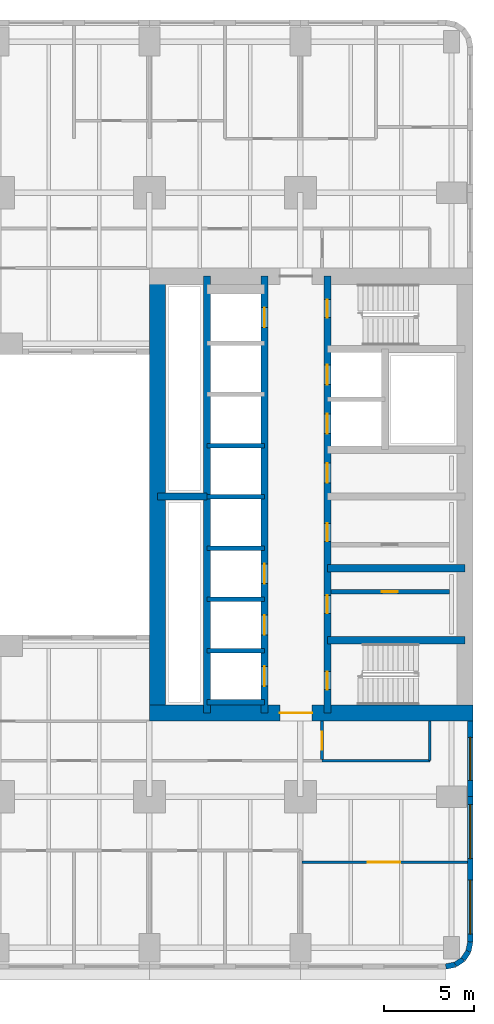
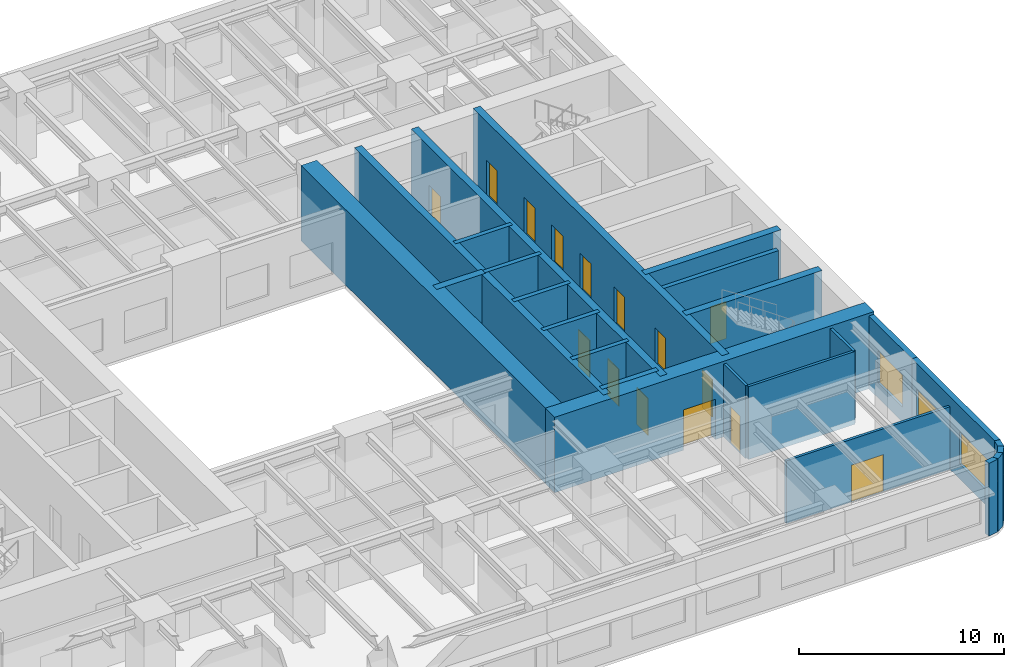
# One storey, part 5 of 14: 25 walls, 15 doors, 3 windows, 18 openings.
"""IFC4 building model written with IfcOpenShell, lengths in metres."""

from ifc_helpers import new_model, si_unit, direction, frame, frame_2d, origin, place, context, subcontext, project, spatial, rectangle, extrude, material, layer, layer_set, type_object, element, fill, save


model = new_model("IFC4")

# Units and contexts
model_context = context("Model", 3, precision=1e-05, world=origin(), true_north=direction((0.0, 1.0)))
body_context = subcontext(model_context, "Body", "Model", "MODEL_VIEW")
ifc_project = project(units=[si_unit("LENGTHUNIT", "METRE"), si_unit("AREAUNIT", "SQUARE_METRE"), si_unit("VOLUMEUNIT", "CUBIC_METRE"), si_unit("PLANEANGLEUNIT", "RADIAN"), si_unit("MASSUNIT", "GRAM", prefix="KILO")], contexts=[model_context])

# Site, building, storey
site_placement = place(None, origin())
site = spatial("IfcSite", under=ifc_project, at=site_placement, CompositionType="ELEMENT")
building_placement = place(site_placement, origin())
building = spatial("IfcBuilding", under=site, at=building_placement, Name="Claustro Exchange Tower", CompositionType="ELEMENT")
storey_placement = place(building_placement, frame((0.0, 0.0, 36.89990234375)))
storey = spatial("IfcBuildingStorey", under=building, at=storey_placement, Name="L08", CompositionType="ELEMENT", Elevation=36.89990234375)

# Wall, opening, door
ifc_material_1 = material(Name="Gypsum board on steel studs", Category="steel")
ifc_layer_1 = layer(ifc_material_1, 0.14990234375)
ifc_layer_set_1 = layer_set([ifc_layer_1], Name="Gypsum board on steel studs")
wall_type_1 = type_object("IfcWallType", Name="P1 150 plasterboard partition", PredefinedType="PARTITIONING", material=ifc_layer_set_1)
wall_1_placement = place(storey_placement, frame((42.073974609375, 4.75, 0.0), z_axis=(0.0, 0.0, 1.0), x_axis=(1.0, 0.0, 0.0)))
wall_1 = element("IfcWall", 1, at=wall_1_placement, inside=storey, type_object=wall_type_1, Name="Partition P1 L08", PredefinedType="PARTITIONING", context=body_context, shape_type="SweptSolid", body=[
    extrude(rectangle(XDim=9.22802734375, YDim=0.14990234375, at=frame_2d((4.614013671875, 0.0))), origin(), (0.0, 0.0, 1.0), 3.739990234375),
])
opening_1_placement = place(wall_1_placement, frame((3.676025390625, 0.0, 0.0)))
opening_1 = element("IfcOpeningElement", 2, at=opening_1_placement, cuts=wall_1, Name="Opening D2", PredefinedType="OPENING", context=body_context, shape_type="SweptSolid", body=[
    extrude(rectangle(XDim=1.800048828125, YDim=2.199951171875, at=frame_2d((0.89990234375, 1.10009765625))), frame((0.0, 0.0849609375, 0.0), z_axis=(0.0, -1.0, 0.0), x_axis=(1.0, 0.0, 0.0)), (0.0, 0.0, 1.0), 0.169921875),
])
ifc_material_2 = material(Name="Timber door, oak veneer", Category="wood")
door_type_1 = type_object("IfcDoorType", Name="D2 1800 x 2200 double door", OperationType="DOUBLE_DOOR_SINGLE_SWING", PredefinedType="DOOR", material=ifc_material_2)
door_1_placement = place(opening_1_placement, frame((1.800048828125, 0.0, 0.0), z_axis=(0.0, 0.0, 1.0), x_axis=(-1.0, 0.0, 0.0)))
door_1 = element("IfcDoor", 3, at=door_1_placement, inside=storey, type_object=door_type_1, Name="Double door D2 L08", OperationType="DOUBLE_DOOR_SINGLE_SWING", OverallHeight=2.199951171875, OverallWidth=1.800048828125, PredefinedType="DOOR", context=body_context, shape_type="SweptSolid", body=[
    extrude(rectangle(XDim=1.800048828125, YDim=2.199951171875, at=frame_2d((0.89990234375, 1.10009765625))), frame((0.0, 0.02490234375, 0.0), z_axis=(0.0, -1.0, 0.0), x_axis=(1.0, 0.0, 0.0)), (0.0, 0.0, 1.0), 0.050048828125),
])
fill(opening_1, door_1)

wall_2_placement = place(storey_placement, frame((43.199951171875, 10.47412109375, 0.0), z_axis=(0.0, 0.0, 1.0), x_axis=(0.0, 1.0, 0.0)))
wall_2 = element("IfcWall", 4, at=wall_2_placement, inside=storey, type_object=wall_type_1, Name="Partition P1 L08", PredefinedType="PARTITIONING", context=body_context, shape_type="SweptSolid", body=[
    extrude(rectangle(XDim=2.1279296875, YDim=0.14990234375, at=frame_2d((1.06396484375, 0.0))), origin(), (0.0, 0.0, 1.0), 4.340087890625),
])
opening_2_placement = place(wall_2_placement, frame((0.52587890625, 0.0, 0.0)))
opening_2 = element("IfcOpeningElement", 5, at=opening_2_placement, cuts=wall_2, Name="Opening D1", PredefinedType="OPENING", context=body_context, shape_type="SweptSolid", body=[
    extrude(rectangle(XDim=1.0, YDim=2.199951171875, at=frame_2d((0.5, 1.10009765625))), frame((0.0, 0.0849609375, 0.0), z_axis=(0.0, -1.0, 0.0), x_axis=(1.0, 0.0, 0.0)), (0.0, 0.0, 1.0), 0.169921875),
])
ifc_material_3 = material(Name="Timber door, oak veneer", Category="wood")
door_type_2 = type_object("IfcDoorType", Name="D1 1000 x 2200 single door", OperationType="SINGLE_SWING_LEFT", PredefinedType="DOOR", material=ifc_material_3)
door_2_placement = place(opening_2_placement, frame((1.0, 0.0, 0.0), z_axis=(0.0, 0.0, 1.0), x_axis=(-1.0, 0.0, 0.0)))
door_2 = element("IfcDoor", 6, at=door_2_placement, inside=storey, type_object=door_type_2, Name="Door D1 L08", OperationType="SINGLE_SWING_LEFT", OverallHeight=2.199951171875, OverallWidth=1.0, PredefinedType="DOOR", context=body_context, shape_type="SweptSolid", body=[
    extrude(rectangle(XDim=1.0, YDim=2.199951171875, at=frame_2d((0.5, 1.10009765625))), frame((0.0, 0.02490234375, 0.0), z_axis=(0.0, -1.0, 0.0), x_axis=(1.0, 0.0, 0.0)), (0.0, 0.0, 1.0), 0.050048828125),
])
fill(opening_2, door_2)

# Walls
wall_3_placement = place(storey_placement, frame((43.197998046875, 10.39990234375, 0.0), z_axis=(0.0, 0.0, 1.0), x_axis=(1.0, 0.0, 0.0)))
element("IfcWall", 7, at=wall_3_placement, inside=storey, type_object=wall_type_1, Name="Partition P1 L08", PredefinedType="PARTITIONING", context=body_context, shape_type="SweptSolid", body=[
    extrude(rectangle(XDim=6.001953125, YDim=0.14990234375, at=frame_2d((3.0009765625, 0.0))), origin(), (0.0, 0.0, 1.0), 4.340087890625),
])
wall_4_placement = place(storey_placement, frame((49.199951171875, 10.39990234375, 0.0), z_axis=(0.0, 0.0, 1.0), x_axis=(0.0, 1.0, 0.0)))
element("IfcWall", 8, at=wall_4_placement, inside=storey, type_object=wall_type_1, Name="Partition P1 L08", PredefinedType="PARTITIONING", context=body_context, shape_type="SweptSolid", body=[
    extrude(rectangle(XDim=2.2021484375, YDim=0.14990234375, at=frame_2d((1.10107421875, 0.0))), origin(), (0.0, 0.0, 1.0), 4.340087890625),
])

# Wall, opening, door
ifc_material_4 = material(Name="Concrete blockwork, rendered", Category="masonry")
ifc_layer_2 = layer(ifc_material_4, 0.25)
ifc_layer_set_2 = layer_set([ifc_layer_2], Name="Concrete blockwork, rendered")
wall_type_2 = type_object("IfcWallType", Name="P4 250 blockwork wall", PredefinedType="PARTITIONING", material=ifc_layer_set_2)
wall_5_placement = place(storey_placement, frame((43.699951171875, 19.800048828125, 0.0), z_axis=(0.0, 0.0, 1.0), x_axis=(1.0, 0.0, 0.0)))
wall_5 = element("IfcWall", 9, at=wall_5_placement, inside=storey, type_object=wall_type_2, Name="Partition P4 L08", PredefinedType="PARTITIONING", context=body_context, shape_type="SweptSolid", body=[
    extrude(rectangle(XDim=6.60009765625, YDim=0.25, at=frame_2d((3.300048828125, 0.0))), origin(), (0.0, 0.0, 1.0), 4.300048828125),
])
opening_3_placement = place(wall_5_placement, frame((2.824951171875, 0.0, 0.0)))
opening_3 = element("IfcOpeningElement", 10, at=opening_3_placement, cuts=wall_5, Name="Opening D5", PredefinedType="OPENING", context=body_context, shape_type="SweptSolid", body=[
    extrude(rectangle(XDim=0.89990234375, YDim=2.199951171875, at=frame_2d((0.449951171875, 1.10009765625))), frame((0.0, 0.135009765625, 0.0), z_axis=(0.0, -1.0, 0.0), x_axis=(1.0, 0.0, 0.0)), (0.0, 0.0, 1.0), 0.27001953125),
])
ifc_material_5 = material(Name="Steel door, painted", Category="steel")
door_type_3 = type_object("IfcDoorType", Name="D5 900 x 2200 store door", OperationType="SINGLE_SWING_LEFT", PredefinedType="DOOR", material=ifc_material_5)
door_3_placement = place(opening_3_placement, origin())
door_3 = element("IfcDoor", 11, at=door_3_placement, inside=storey, type_object=door_type_3, Name="Store door D5 L08", OperationType="SINGLE_SWING_RIGHT", OverallHeight=2.199951171875, OverallWidth=0.89990234375, PredefinedType="DOOR", context=body_context, shape_type="SweptSolid", body=[
    extrude(rectangle(XDim=0.89990234375, YDim=2.199951171875, at=frame_2d((0.449951171875, 1.10009765625))), frame((0.0, 0.02490234375, 0.0), z_axis=(0.0, -1.0, 0.0), x_axis=(1.0, 0.0, 0.0)), (0.0, 0.0, 1.0), 0.050048828125),
])
fill(opening_3, door_3)

# Wall, opening, window
ifc_material_6 = material(Name="Concrete HA-40 (C40/50), precast, white cement, acid-etched", Category="concrete")
ifc_layer_3 = layer(ifc_material_6, 0.300048828125)
ifc_layer_set_3 = layer_set([ifc_layer_3], Name="Concrete HA-40 (C40/50), precast, white cement, acid-etched")
wall_type_3 = type_object("IfcWallType", Name="PC1 300 precast concrete pier panel", PredefinedType="SOLIDWALL", material=ifc_layer_set_3)
wall_6_placement = place(storey_placement, frame((51.449951171875, 12.60009765625, 0.0), z_axis=(0.0, 0.0, 1.0), x_axis=(0.0, -1.0, 0.0)))
wall_6 = element("IfcWall", 12, at=wall_6_placement, inside=storey, type_object=wall_type_3, Name="Precast pier panel PC1 L08", PredefinedType="SOLIDWALL", context=body_context, shape_type="SweptSolid", body=[
    extrude(rectangle(XDim=4.2001953125, YDim=0.300048828125, at=frame_2d((2.10009765625, 0.0))), origin(), (0.0, 0.0, 1.0), 4.340087890625),
])
opening_4_placement = place(wall_6_placement, frame((0.89990234375, 0.0, 0.89990234375)))
opening_4 = element("IfcOpeningElement", 13, at=opening_4_placement, cuts=wall_6, Name="Opening W2", PredefinedType="OPENING", context=body_context, shape_type="SweptSolid", body=[
    extrude(rectangle(XDim=2.39990234375, YDim=1.89990234375, at=frame_2d((1.199951171875, 0.949951171875))), frame((0.0, 0.159912109375, 0.0), z_axis=(0.0, -1.0, 0.0), x_axis=(1.0, 0.0, 0.0)), (0.0, 0.0, 1.0), 0.320068359375),
])
ifc_material_7 = material(Name="Aluminium frame, clear double glazing", Category="aluminium")
window_type_1 = type_object("IfcWindowType", Name="W2 2400 x 1900 window", PartitioningType="SINGLE_PANEL", PredefinedType="WINDOW", material=ifc_material_7)
window_1_placement = place(opening_4_placement, origin())
window_1 = element("IfcWindow", 14, at=window_1_placement, inside=storey, type_object=window_type_1, Name="Window W2 L08", OverallHeight=1.89990234375, OverallWidth=2.39990234375, PartitioningType="SINGLE_PANEL", PredefinedType="WINDOW", context=body_context, shape_type="SweptSolid", body=[
    extrude(rectangle(XDim=2.39990234375, YDim=1.89990234375, at=frame_2d((1.199951171875, 0.949951171875))), frame((0.0, 0.030029296875, 0.0), z_axis=(0.0, -1.0, 0.0), x_axis=(1.0, 0.0, 0.0)), (0.0, 0.0, 1.0), 0.06005859375),
])
fill(opening_4, window_1)

# Wall, openings, windows
wall_7_placement = place(storey_placement, frame((51.449951171875, 8.39990234375, 0.0), z_axis=(0.0, 0.0, 1.0), x_axis=(0.0, -1.0, 0.0)))
wall_7 = element("IfcWall", 15, at=wall_7_placement, inside=storey, type_object=wall_type_3, Name="Precast pier panel PC1 L08", PredefinedType="SOLIDWALL", context=body_context, shape_type="SweptSolid", body=[
    extrude(rectangle(XDim=8.085205078125, YDim=0.300048828125, at=frame_2d((4.04248046875, 0.0))), origin(), (0.0, 0.0, 1.0), 4.340087890625),
])
opening_5_placement = place(wall_7_placement, frame((0.442626953125, 0.0, 0.89990234375)))
opening_5 = element("IfcOpeningElement", 16, at=opening_5_placement, cuts=wall_7, Name="Opening W1", PredefinedType="OPENING", context=body_context, shape_type="SweptSolid", body=[
    extrude(rectangle(XDim=3.0, YDim=1.89990234375, at=frame_2d((1.5, 0.949951171875))), frame((0.0, 0.159912109375, 0.0), z_axis=(0.0, -1.0, 0.0), x_axis=(1.0, 0.0, 0.0)), (0.0, 0.0, 1.0), 0.320068359375),
])
opening_6_placement = place(wall_7_placement, frame((4.642578125, 0.0, 0.89990234375)))
opening_6 = element("IfcOpeningElement", 17, at=opening_6_placement, cuts=wall_7, Name="Opening W1", PredefinedType="OPENING", context=body_context, shape_type="SweptSolid", body=[
    extrude(rectangle(XDim=3.0, YDim=1.89990234375, at=frame_2d((1.5, 0.949951171875))), frame((0.0, 0.159912109375, 0.0), z_axis=(0.0, -1.0, 0.0), x_axis=(1.0, 0.0, 0.0)), (0.0, 0.0, 1.0), 0.320068359375),
])
ifc_material_8 = material(Name="Aluminium frame, clear double glazing", Category="aluminium")
window_type_2 = type_object("IfcWindowType", Name="W1 3000 x 1900 window", PartitioningType="SINGLE_PANEL", PredefinedType="WINDOW", material=ifc_material_8)
window_2_placement = place(opening_5_placement, origin())
window_2 = element("IfcWindow", 18, at=window_2_placement, inside=storey, type_object=window_type_2, Name="Window W1 L08", OverallHeight=1.89990234375, OverallWidth=3.0, PartitioningType="SINGLE_PANEL", PredefinedType="WINDOW", context=body_context, shape_type="SweptSolid", body=[
    extrude(rectangle(XDim=3.0, YDim=1.89990234375, at=frame_2d((1.5, 0.949951171875))), frame((0.0, 0.030029296875, 0.0), z_axis=(0.0, -1.0, 0.0), x_axis=(1.0, 0.0, 0.0)), (0.0, 0.0, 1.0), 0.06005859375),
])
fill(opening_5, window_2)
window_3_placement = place(opening_6_placement, origin())
window_3 = element("IfcWindow", 19, at=window_3_placement, inside=storey, type_object=window_type_2, Name="Window W1 L08", OverallHeight=1.89990234375, OverallWidth=3.0, PartitioningType="SINGLE_PANEL", PredefinedType="WINDOW", context=body_context, shape_type="SweptSolid", body=[
    extrude(rectangle(XDim=3.0, YDim=1.89990234375, at=frame_2d((1.5, 0.949951171875))), frame((0.0, 0.030029296875, 0.0), z_axis=(0.0, -1.0, 0.0), x_axis=(1.0, 0.0, 0.0)), (0.0, 0.0, 1.0), 0.06005859375),
])
fill(opening_6, window_3)

# Walls
wall_8_placement = place(storey_placement, frame((51.449951171875, 0.314697265625, 0.0), z_axis=(0.0, 0.0, 1.0), x_axis=(-0.195073962632, -0.980788534345, 0.0)))
element("IfcWall", 20, at=wall_8_placement, inside=storey, type_object=wall_type_3, Name="Precast pier panel PC1 L08", PredefinedType="SOLIDWALL", context=body_context, shape_type="SweptSolid", body=[
    extrude(rectangle(XDim=0.540771484375, YDim=0.300048828125, at=frame_2d((0.2705078125, 0.0))), origin(), (0.0, 0.0, 1.0), 4.340087890625),
])
for number, where, z_axis, x_axis, name in (
    (21, (51.344482421875, -0.215576171875, 0.0), (0.0, 0.0, 1.0), (-0.555557463938, -0.831478144188, 0.0), "Precast pier panel PC1 L08"),
    (22, (51.052490234375, -0.652587890625, 0.0), (0.0, 0.0, 1.0), (-0.831478144188, -0.555557463938, 0.0), "Precast pier panel PC1 L08"),
):
    element("IfcWall", number, at=place(storey_placement, frame(where, z_axis=z_axis, x_axis=x_axis)), inside=storey, type_object=wall_type_3, Name=name, PredefinedType="SOLIDWALL", context=body_context, shape_type="SweptSolid", body=[
        extrude(rectangle(XDim=0.525634765625, YDim=0.300048828125, at=frame_2d((0.2626953125, 0.0))), origin(), (0.0, 0.0, 1.0), 4.340087890625),
    ])
wall_9_placement = place(storey_placement, frame((50.615478515625, -0.944580078125, 0.0), z_axis=(0.0, 0.0, 1.0), x_axis=(-0.980788534345, -0.195073962632, 0.0)))
element("IfcWall", 23, at=wall_9_placement, inside=storey, type_object=wall_type_3, Name="Precast pier panel PC1 L08", PredefinedType="SOLIDWALL", context=body_context, shape_type="SweptSolid", body=[
    extrude(rectangle(XDim=0.540771484375, YDim=0.300048828125, at=frame_2d((0.2705078125, 0.0))), origin(), (0.0, 0.0, 1.0), 4.340087890625),
])

# Wall, opening, door
ifc_material_9 = material(Name="Concrete HA-70 (C70/85)", Category="concrete")
ifc_layer_4 = layer(ifc_material_9, 0.89990234375)
ifc_layer_set_4 = layer_set([ifc_layer_4], Name="Concrete HA-70 (C70/85)")
wall_type_4 = type_object("IfcWallType", Name="SW1 900 core shear wall", PredefinedType="SHEAR", material=ifc_layer_set_4)
wall_10_placement = place(storey_placement, frame((33.60009765625, 13.050048828125, 0.0), z_axis=(0.0, 0.0, 1.0), x_axis=(1.0, 0.0, 0.0)))
wall_10 = element("IfcWall", 24, at=wall_10_placement, inside=storey, type_object=wall_type_4, Name="Core wall SW1 E core S face L08", PredefinedType="SHEAR", context=body_context, shape_type="SweptSolid", body=[
    extrude(rectangle(XDim=18.0, YDim=0.89990234375, at=frame_2d((9.0, 0.0))), origin(), (0.0, 0.0, 1.0), 4.5),
])
opening_7_placement = place(wall_10_placement, frame((7.25, 0.0, 0.0)))
opening_7 = element("IfcOpeningElement", 25, at=opening_7_placement, cuts=wall_10, Name="Opening D3", PredefinedType="OPENING", context=body_context, shape_type="SweptSolid", body=[
    extrude(rectangle(XDim=1.800048828125, YDim=2.39990234375, at=frame_2d((0.89990234375, 1.199951171875))), frame((0.0, 0.4599609375, 0.0), z_axis=(0.0, -1.0, 0.0), x_axis=(1.0, 0.0, 0.0)), (0.0, 0.0, 1.0), 0.919921875),
])
ifc_material_10 = material(Name="Steel fire door, painted", Category="steel")
door_type_4 = type_object("IfcDoorType", Name="D3 1800 x 2400 fire-rated lobby double door", OperationType="DOUBLE_DOOR_SINGLE_SWING", PredefinedType="DOOR", material=ifc_material_10)
door_4_placement = place(opening_7_placement, origin())
door_4 = element("IfcDoor", 26, at=door_4_placement, inside=storey, type_object=door_type_4, Name="Lift lobby door D3 L08", OperationType="DOUBLE_DOOR_SINGLE_SWING", OverallHeight=2.39990234375, OverallWidth=1.800048828125, PredefinedType="DOOR", context=body_context, shape_type="SweptSolid", body=[
    extrude(rectangle(XDim=1.800048828125, YDim=2.39990234375, at=frame_2d((0.89990234375, 1.199951171875))), frame((0.0, 0.02490234375, 0.0), z_axis=(0.0, -1.0, 0.0), x_axis=(1.0, 0.0, 0.0)), (0.0, 0.0, 1.0), 0.050048828125),
])
fill(opening_7, door_4)

# Wall
ifc_material_11 = material(Name="Concrete HA-70 (C70/85)", Category="concrete")
ifc_layer_5 = layer(ifc_material_11, 0.89990234375)
ifc_layer_set_5 = layer_set([ifc_layer_5], Name="Concrete HA-70 (C70/85)")
wall_type_5 = type_object("IfcWallType", Name="SW1X 900 exposed core shear wall, board-marked face", PredefinedType="SHEAR", material=ifc_layer_set_5)
wall_11_placement = place(storey_placement, frame((34.050048828125, 13.050048828125, 0.0), z_axis=(0.0, 0.0, 1.0), x_axis=(0.0, 1.0, 0.0)))
element("IfcWall", 27, at=wall_11_placement, inside=storey, type_object=wall_type_5, Name="Core wall SW1X E core W face L08", PredefinedType="SHEAR", context=body_context, shape_type="SweptSolid", body=[
    extrude(rectangle(XDim=24.300048828125, YDim=0.89990234375, at=frame_2d((12.14990234375, 0.0))), origin(), (0.0, 0.0, 1.0), 4.5),
])

# Wall, openings, doors
ifc_material_12 = material(Name="Concrete HA-50 (C50/60)", Category="concrete")
ifc_layer_6 = layer(ifc_material_12, 0.39990234375)
ifc_layer_set_6 = layer_set([ifc_layer_6], Name="Concrete HA-50 (C50/60)")
wall_type_6 = type_object("IfcWallType", Name="SW4 400 internal core wall", PredefinedType="SHEAR", material=ifc_layer_set_6)
wall_12_placement = place(storey_placement, frame((43.5, 13.050048828125, 0.0), z_axis=(0.0, 0.0, 1.0), x_axis=(0.0, 1.0, 0.0)))
wall_12 = element("IfcWall", 28, at=wall_12_placement, inside=storey, type_object=wall_type_6, Name="Internal core wall SW4 E core L08", PredefinedType="SHEAR", context=body_context, shape_type="SweptSolid", body=[
    extrude(rectangle(XDim=24.300048828125, YDim=0.39990234375, at=frame_2d((12.14990234375, 0.0))), origin(), (0.0, 0.0, 1.0), 4.5),
])
opening_8_placement = place(wall_12_placement, frame((1.300048828125, 0.0, 0.0)))
opening_8 = element("IfcOpeningElement", 29, at=opening_8_placement, cuts=wall_12, Name="Opening D4", PredefinedType="OPENING", context=body_context, shape_type="SweptSolid", body=[
    extrude(rectangle(XDim=1.0, YDim=2.199951171875, at=frame_2d((0.5, 1.10009765625))), frame((0.0, 0.2099609375, 0.0), z_axis=(0.0, -1.0, 0.0), x_axis=(1.0, 0.0, 0.0)), (0.0, 0.0, 1.0), 0.419921875),
])
opening_9_placement = place(wall_12_placement, frame((22.0, 0.0, 0.0)))
opening_9 = element("IfcOpeningElement", 30, at=opening_9_placement, cuts=wall_12, Name="Opening D4", PredefinedType="OPENING", context=body_context, shape_type="SweptSolid", body=[
    extrude(rectangle(XDim=1.0, YDim=2.199951171875, at=frame_2d((0.5, 1.10009765625))), frame((0.0, 0.2099609375, 0.0), z_axis=(0.0, -1.0, 0.0), x_axis=(1.0, 0.0, 0.0)), (0.0, 0.0, 1.0), 0.419921875),
])
opening_10_placement = place(wall_12_placement, frame((5.550048828125, 0.0, 0.0)))
opening_10 = element("IfcOpeningElement", 31, at=opening_10_placement, cuts=wall_12, Name="Opening D1", PredefinedType="OPENING", context=body_context, shape_type="SweptSolid", body=[
    extrude(rectangle(XDim=1.0, YDim=2.199951171875, at=frame_2d((0.5, 1.10009765625))), frame((0.0, 0.2099609375, 0.0), z_axis=(0.0, -1.0, 0.0), x_axis=(1.0, 0.0, 0.0)), (0.0, 0.0, 1.0), 0.419921875),
])
opening_11_placement = place(wall_12_placement, frame((9.550048828125, 0.0, 0.0)))
opening_11 = element("IfcOpeningElement", 32, at=opening_11_placement, cuts=wall_12, Name="Opening D1", PredefinedType="OPENING", context=body_context, shape_type="SweptSolid", body=[
    extrude(rectangle(XDim=1.0, YDim=2.199951171875, at=frame_2d((0.5, 1.10009765625))), frame((0.0, 0.2099609375, 0.0), z_axis=(0.0, -1.0, 0.0), x_axis=(1.0, 0.0, 0.0)), (0.0, 0.0, 1.0), 0.419921875),
])
opening_12_placement = place(wall_12_placement, frame((12.800048828125, 0.0, 0.0)))
opening_12 = element("IfcOpeningElement", 33, at=opening_12_placement, cuts=wall_12, Name="Opening D10", PredefinedType="OPENING", context=body_context, shape_type="SweptSolid", body=[
    extrude(rectangle(XDim=1.10009765625, YDim=2.199951171875, at=frame_2d((0.550048828125, 1.10009765625))), frame((0.0, 0.2099609375, 0.0), z_axis=(0.0, -1.0, 0.0), x_axis=(1.0, 0.0, 0.0)), (0.0, 0.0, 1.0), 0.419921875),
])
opening_13_placement = place(wall_12_placement, frame((15.53759765625, 0.0, 0.0)))
opening_13 = element("IfcOpeningElement", 34, at=opening_13_placement, cuts=wall_12, Name="Opening LD", PredefinedType="OPENING", context=body_context, shape_type="SweptSolid", body=[
    extrude(rectangle(XDim=1.10009765625, YDim=2.199951171875, at=frame_2d((0.550048828125, 1.10009765625))), frame((0.0, 0.2099609375, 0.0), z_axis=(0.0, -1.0, 0.0), x_axis=(1.0, 0.0, 0.0)), (0.0, 0.0, 1.0), 0.419921875),
])
opening_14_placement = place(wall_12_placement, frame((18.262451171875, 0.0, 0.0)))
opening_14 = element("IfcOpeningElement", 35, at=opening_14_placement, cuts=wall_12, Name="Opening LD", PredefinedType="OPENING", context=body_context, shape_type="SweptSolid", body=[
    extrude(rectangle(XDim=1.10009765625, YDim=2.199951171875, at=frame_2d((0.550048828125, 1.10009765625))), frame((0.0, 0.2099609375, 0.0), z_axis=(0.0, -1.0, 0.0), x_axis=(1.0, 0.0, 0.0)), (0.0, 0.0, 1.0), 0.419921875),
])
door_5_placement = place(opening_10_placement, frame((1.0, 0.0, 0.0), z_axis=(0.0, 0.0, 1.0), x_axis=(-1.0, 0.0, 0.0)))
door_5 = element("IfcDoor", 36, at=door_5_placement, inside=storey, type_object=door_type_2, Name="Door D1 L08", OperationType="SINGLE_SWING_LEFT", OverallHeight=2.199951171875, OverallWidth=1.0, PredefinedType="DOOR", context=body_context, shape_type="SweptSolid", body=[
    extrude(rectangle(XDim=1.0, YDim=2.199951171875, at=frame_2d((0.5, 1.10009765625))), frame((0.0, 0.02490234375, 0.0), z_axis=(0.0, -1.0, 0.0), x_axis=(1.0, 0.0, 0.0)), (0.0, 0.0, 1.0), 0.050048828125),
])
fill(opening_10, door_5)
door_6_placement = place(opening_11_placement, frame((1.0, 0.0, 0.0), z_axis=(0.0, 0.0, 1.0), x_axis=(-1.0, 0.0, 0.0)))
door_6 = element("IfcDoor", 37, at=door_6_placement, inside=storey, type_object=door_type_2, Name="Door D1 L08", OperationType="SINGLE_SWING_RIGHT", OverallHeight=2.199951171875, OverallWidth=1.0, PredefinedType="DOOR", context=body_context, shape_type="SweptSolid", body=[
    extrude(rectangle(XDim=1.0, YDim=2.199951171875, at=frame_2d((0.5, 1.10009765625))), frame((0.0, 0.02490234375, 0.0), z_axis=(0.0, -1.0, 0.0), x_axis=(1.0, 0.0, 0.0)), (0.0, 0.0, 1.0), 0.050048828125),
])
fill(opening_11, door_6)
ifc_material_13 = material(Name="Timber door, oak veneer", Category="wood")
door_type_5 = type_object("IfcDoorType", Name="D10 1100 x 2200 accessible WC door", OperationType="SINGLE_SWING_LEFT", PredefinedType="DOOR", material=ifc_material_13)
door_7_placement = place(opening_12_placement, origin())
door_7 = element("IfcDoor", 38, at=door_7_placement, inside=storey, type_object=door_type_5, Name="Accessible WC door D10 L08", OperationType="SINGLE_SWING_RIGHT", OverallHeight=2.199951171875, OverallWidth=1.10009765625, PredefinedType="DOOR", context=body_context, shape_type="SweptSolid", body=[
    extrude(rectangle(XDim=1.10009765625, YDim=2.199951171875, at=frame_2d((0.550048828125, 1.10009765625))), frame((0.0, 0.02490234375, 0.0), z_axis=(0.0, -1.0, 0.0), x_axis=(1.0, 0.0, 0.0)), (0.0, 0.0, 1.0), 0.050048828125),
])
fill(opening_12, door_7)
ifc_material_14 = material(Name="Steel fire door, painted", Category="steel")
door_type_6 = type_object("IfcDoorType", Name="D4 1000 x 2200 fire-rated stair door", OperationType="SINGLE_SWING_LEFT", PredefinedType="DOOR", material=ifc_material_14)
door_8_placement = place(opening_8_placement, frame((1.0, 0.0, 0.0), z_axis=(0.0, 0.0, 1.0), x_axis=(-1.0, 0.0, 0.0)))
door_8 = element("IfcDoor", 39, at=door_8_placement, inside=storey, type_object=door_type_6, Name="Stair door D4 L08", OperationType="SINGLE_SWING_RIGHT", OverallHeight=2.199951171875, OverallWidth=1.0, PredefinedType="DOOR", context=body_context, shape_type="SweptSolid", body=[
    extrude(rectangle(XDim=1.0, YDim=2.199951171875, at=frame_2d((0.5, 1.10009765625))), frame((0.0, 0.02490234375, 0.0), z_axis=(0.0, -1.0, 0.0), x_axis=(1.0, 0.0, 0.0)), (0.0, 0.0, 1.0), 0.050048828125),
])
fill(opening_8, door_8)
door_9_placement = place(opening_9_placement, frame((1.0, 0.0, 0.0), z_axis=(0.0, 0.0, 1.0), x_axis=(-1.0, 0.0, 0.0)))
door_9 = element("IfcDoor", 40, at=door_9_placement, inside=storey, type_object=door_type_6, Name="Stair door D4 L08", OperationType="SINGLE_SWING_LEFT", OverallHeight=2.199951171875, OverallWidth=1.0, PredefinedType="DOOR", context=body_context, shape_type="SweptSolid", body=[
    extrude(rectangle(XDim=1.0, YDim=2.199951171875, at=frame_2d((0.5, 1.10009765625))), frame((0.0, 0.02490234375, 0.0), z_axis=(0.0, -1.0, 0.0), x_axis=(1.0, 0.0, 0.0)), (0.0, 0.0, 1.0), 0.050048828125),
])
fill(opening_9, door_9)
ifc_material_15 = material(Name="Stainless steel sliding door", Category="steel")
door_type_7 = type_object("IfcDoorType", Name="LD 1100 x 2200 lift landing door", OperationType="DOUBLE_DOOR_SLIDING", PredefinedType="DOOR", material=ifc_material_15)
door_10_placement = place(opening_13_placement, origin())
door_10 = element("IfcDoor", 41, at=door_10_placement, inside=storey, type_object=door_type_7, Name="Lift landing door LEE1 LD L08", OperationType="DOUBLE_DOOR_SLIDING", OverallHeight=2.199951171875, OverallWidth=1.10009765625, PredefinedType="DOOR", context=body_context, shape_type="SweptSolid", body=[
    extrude(rectangle(XDim=1.10009765625, YDim=2.199951171875, at=frame_2d((0.550048828125, 1.10009765625))), frame((0.0, 0.02490234375, 0.0), z_axis=(0.0, -1.0, 0.0), x_axis=(1.0, 0.0, 0.0)), (0.0, 0.0, 1.0), 0.050048828125),
])
fill(opening_13, door_10)
door_11_placement = place(opening_14_placement, origin())
door_11 = element("IfcDoor", 42, at=door_11_placement, inside=storey, type_object=door_type_7, Name="Lift landing door LEE2 LD L08", OperationType="DOUBLE_DOOR_SLIDING", OverallHeight=2.199951171875, OverallWidth=1.10009765625, PredefinedType="DOOR", context=body_context, shape_type="SweptSolid", body=[
    extrude(rectangle(XDim=1.10009765625, YDim=2.199951171875, at=frame_2d((0.550048828125, 1.10009765625))), frame((0.0, 0.02490234375, 0.0), z_axis=(0.0, -1.0, 0.0), x_axis=(1.0, 0.0, 0.0)), (0.0, 0.0, 1.0), 0.050048828125),
])
fill(opening_14, door_11)

wall_13_placement = place(storey_placement, frame((40.0, 13.050048828125, 0.0), z_axis=(0.0, 0.0, 1.0), x_axis=(0.0, 1.0, 0.0)))
wall_13 = element("IfcWall", 43, at=wall_13_placement, inside=storey, type_object=wall_type_6, Name="Internal core wall SW4 E core L08", PredefinedType="SHEAR", context=body_context, shape_type="SweptSolid", body=[
    extrude(rectangle(XDim=24.300048828125, YDim=0.39990234375, at=frame_2d((12.14990234375, 0.0))), origin(), (0.0, 0.0, 1.0), 4.5),
])
opening_15_placement = place(wall_13_placement, frame((1.5, 0.0, 0.0)))
opening_15 = element("IfcOpeningElement", 44, at=opening_15_placement, cuts=wall_13, Name="Opening LD", PredefinedType="OPENING", context=body_context, shape_type="SweptSolid", body=[
    extrude(rectangle(XDim=1.10009765625, YDim=2.199951171875, at=frame_2d((0.550048828125, 1.10009765625))), frame((0.0, 0.2099609375, 0.0), z_axis=(0.0, -1.0, 0.0), x_axis=(1.0, 0.0, 0.0)), (0.0, 0.0, 1.0), 0.419921875),
])
opening_16_placement = place(wall_13_placement, frame((4.35009765625, 0.0, 0.0)))
opening_16 = element("IfcOpeningElement", 45, at=opening_16_placement, cuts=wall_13, Name="Opening LD", PredefinedType="OPENING", context=body_context, shape_type="SweptSolid", body=[
    extrude(rectangle(XDim=1.10009765625, YDim=2.199951171875, at=frame_2d((0.550048828125, 1.10009765625))), frame((0.0, 0.2099609375, 0.0), z_axis=(0.0, -1.0, 0.0), x_axis=(1.0, 0.0, 0.0)), (0.0, 0.0, 1.0), 0.419921875),
])
opening_17_placement = place(wall_13_placement, frame((7.199951171875, 0.0, 0.0)))
opening_17 = element("IfcOpeningElement", 46, at=opening_17_placement, cuts=wall_13, Name="Opening LD", PredefinedType="OPENING", context=body_context, shape_type="SweptSolid", body=[
    extrude(rectangle(XDim=1.10009765625, YDim=2.199951171875, at=frame_2d((0.550048828125, 1.10009765625))), frame((0.0, 0.2099609375, 0.0), z_axis=(0.0, -1.0, 0.0), x_axis=(1.0, 0.0, 0.0)), (0.0, 0.0, 1.0), 0.419921875),
])
opening_18_placement = place(wall_13_placement, frame((21.449951171875, 0.0, 0.0)))
opening_18 = element("IfcOpeningElement", 47, at=opening_18_placement, cuts=wall_13, Name="Opening LD", PredefinedType="OPENING", context=body_context, shape_type="SweptSolid", body=[
    extrude(rectangle(XDim=1.10009765625, YDim=2.199951171875, at=frame_2d((0.550048828125, 1.10009765625))), frame((0.0, 0.2099609375, 0.0), z_axis=(0.0, -1.0, 0.0), x_axis=(1.0, 0.0, 0.0)), (0.0, 0.0, 1.0), 0.419921875),
])
door_12_placement = place(opening_15_placement, origin())
door_12 = element("IfcDoor", 48, at=door_12_placement, inside=storey, type_object=door_type_7, Name="Lift landing door LLE1 LD L08", OperationType="DOUBLE_DOOR_SLIDING", OverallHeight=2.199951171875, OverallWidth=1.10009765625, PredefinedType="DOOR", context=body_context, shape_type="SweptSolid", body=[
    extrude(rectangle(XDim=1.10009765625, YDim=2.199951171875, at=frame_2d((0.550048828125, 1.10009765625))), frame((0.0, 0.02490234375, 0.0), z_axis=(0.0, -1.0, 0.0), x_axis=(1.0, 0.0, 0.0)), (0.0, 0.0, 1.0), 0.050048828125),
])
fill(opening_15, door_12)
door_13_placement = place(opening_16_placement, origin())
door_13 = element("IfcDoor", 49, at=door_13_placement, inside=storey, type_object=door_type_7, Name="Lift landing door LLE2 LD L08", OperationType="DOUBLE_DOOR_SLIDING", OverallHeight=2.199951171875, OverallWidth=1.10009765625, PredefinedType="DOOR", context=body_context, shape_type="SweptSolid", body=[
    extrude(rectangle(XDim=1.10009765625, YDim=2.199951171875, at=frame_2d((0.550048828125, 1.10009765625))), frame((0.0, 0.02490234375, 0.0), z_axis=(0.0, -1.0, 0.0), x_axis=(1.0, 0.0, 0.0)), (0.0, 0.0, 1.0), 0.050048828125),
])
fill(opening_16, door_13)
door_14_placement = place(opening_17_placement, origin())
door_14 = element("IfcDoor", 50, at=door_14_placement, inside=storey, type_object=door_type_7, Name="Lift landing door LLE3 LD L08", OperationType="DOUBLE_DOOR_SLIDING", OverallHeight=2.199951171875, OverallWidth=1.10009765625, PredefinedType="DOOR", context=body_context, shape_type="SweptSolid", body=[
    extrude(rectangle(XDim=1.10009765625, YDim=2.199951171875, at=frame_2d((0.550048828125, 1.10009765625))), frame((0.0, 0.02490234375, 0.0), z_axis=(0.0, -1.0, 0.0), x_axis=(1.0, 0.0, 0.0)), (0.0, 0.0, 1.0), 0.050048828125),
])
fill(opening_17, door_14)
door_15_placement = place(opening_18_placement, origin())
door_15 = element("IfcDoor", 51, at=door_15_placement, inside=storey, type_object=door_type_7, Name="Lift landing door LSE1 LD L08", OperationType="DOUBLE_DOOR_SLIDING", OverallHeight=2.199951171875, OverallWidth=1.10009765625, PredefinedType="DOOR", context=body_context, shape_type="SweptSolid", body=[
    extrude(rectangle(XDim=1.10009765625, YDim=2.199951171875, at=frame_2d((0.550048828125, 1.10009765625))), frame((0.0, 0.02490234375, 0.0), z_axis=(0.0, -1.0, 0.0), x_axis=(1.0, 0.0, 0.0)), (0.0, 0.0, 1.0), 0.050048828125),
])
fill(opening_18, door_15)

# Walls
wall_14_placement = place(storey_placement, frame((36.800048828125, 13.050048828125, 0.0), z_axis=(0.0, 0.0, 1.0), x_axis=(0.0, 1.0, 0.0)))
element("IfcWall", 52, at=wall_14_placement, inside=storey, type_object=wall_type_6, Name="Internal core wall SW4 E core L08", PredefinedType="SHEAR", context=body_context, shape_type="SweptSolid", body=[
    extrude(rectangle(XDim=24.300048828125, YDim=0.39990234375, at=frame_2d((12.14990234375, 0.0))), origin(), (0.0, 0.0, 1.0), 4.5),
])
for number, where, z_axis, x_axis, name in (
    (53, (51.14990234375, 17.10009765625, 0.0), (0.0, 0.0, 1.0), (-1.0, 0.0, 0.0), "Internal core wall SW4 E core L08"),
    (54, (51.14990234375, 21.10009765625, 0.0), (0.0, 0.0, 1.0), (-1.0, 0.0, 0.0), "Internal core wall SW4 E core L08"),
):
    element("IfcWall", number, at=place(storey_placement, frame(where, z_axis=z_axis, x_axis=x_axis)), inside=storey, type_object=wall_type_6, Name=name, PredefinedType="SHEAR", context=body_context, shape_type="SweptSolid", body=[
        extrude(rectangle(XDim=7.64990234375, YDim=0.39990234375, at=frame_2d((3.824951171875, 0.0))), origin(), (0.0, 0.0, 1.0), 4.5),
    ])
wall_15_placement = place(storey_placement, frame((36.800048828125, 25.10009765625, 0.0), z_axis=(0.0, 0.0, 1.0), x_axis=(-1.0, 0.0, 0.0)))
element("IfcWall", 55, at=wall_15_placement, inside=storey, type_object=wall_type_6, Name="Internal core wall SW4 E core L08", PredefinedType="SHEAR", context=body_context, shape_type="SweptSolid", body=[
    extrude(rectangle(XDim=2.75, YDim=0.39990234375, at=frame_2d((1.375, 0.0))), origin(), (0.0, 0.0, 1.0), 4.5),
])
ifc_material_16 = material(Name="Concrete HA-50 (C50/60)", Category="concrete")
ifc_layer_7 = layer(ifc_material_16, 0.25)
ifc_layer_set_7 = layer_set([ifc_layer_7], Name="Concrete HA-50 (C50/60)")
wall_type_7 = type_object("IfcWallType", Name="SW5 250 lift shaft divider wall", PredefinedType="SHEAR", material=ifc_layer_set_7)
for number, where, z_axis, x_axis, name in (
    (56, (40.0, 16.52490234375, 0.0), (0.0, 0.0, 1.0), (-1.0, 0.0, 0.0), "Lift shaft wall E core L08"),
    (57, (40.0, 19.375, 0.0), (0.0, 0.0, 1.0), (-1.0, 0.0, 0.0), "Lift shaft wall E core L08"),
    (58, (40.0, 22.22509765625, 0.0), (0.0, 0.0, 1.0), (-1.0, 0.0, 0.0), "Lift shaft wall E core L08"),
    (59, (40.0, 25.074951171875, 0.0), (0.0, 0.0, 1.0), (-1.0, 0.0, 0.0), "Lift shaft wall E core L08"),
    (60, (40.0, 27.925048828125, 0.0), (0.0, 0.0, 1.0), (-1.0, 0.0, 0.0), "Lift shaft wall E core L08"),
):
    element("IfcWall", number, at=place(storey_placement, frame(where, z_axis=z_axis, x_axis=x_axis)), inside=storey, type_object=wall_type_7, Name=name, PredefinedType="SHEAR", context=body_context, shape_type="SweptSolid", body=[
        extrude(rectangle(XDim=3.199951171875, YDim=0.25, at=frame_2d((1.60009765625, 0.0))), origin(), (0.0, 0.0, 1.0), 4.5),
    ])
ifc_material_17 = material(Name="Concrete HA-50 (C50/60)", Category="concrete")
ifc_layer_8 = layer(ifc_material_17, 0.300048828125)
ifc_layer_set_8 = layer_set([ifc_layer_8], Name="Concrete HA-50 (C50/60)")
wall_type_8 = type_object("IfcWallType", Name="SW6A 300 lift shaft end wall", PredefinedType="SHEAR", material=ifc_layer_set_8)
wall_16_placement = place(storey_placement, frame((40.0, 13.64990234375, 0.0), z_axis=(0.0, 0.0, 1.0), x_axis=(-1.0, 0.0, 0.0)))
element("IfcWall", 61, at=wall_16_placement, inside=storey, type_object=wall_type_8, Name="Lift shaft wall E core L08", PredefinedType="SHEAR", context=body_context, shape_type="SweptSolid", body=[
    extrude(rectangle(XDim=3.199951171875, YDim=0.300048828125, at=frame_2d((1.60009765625, 0.0))), origin(), (0.0, 0.0, 1.0), 4.5),
])

save(model, "model.ifc")
